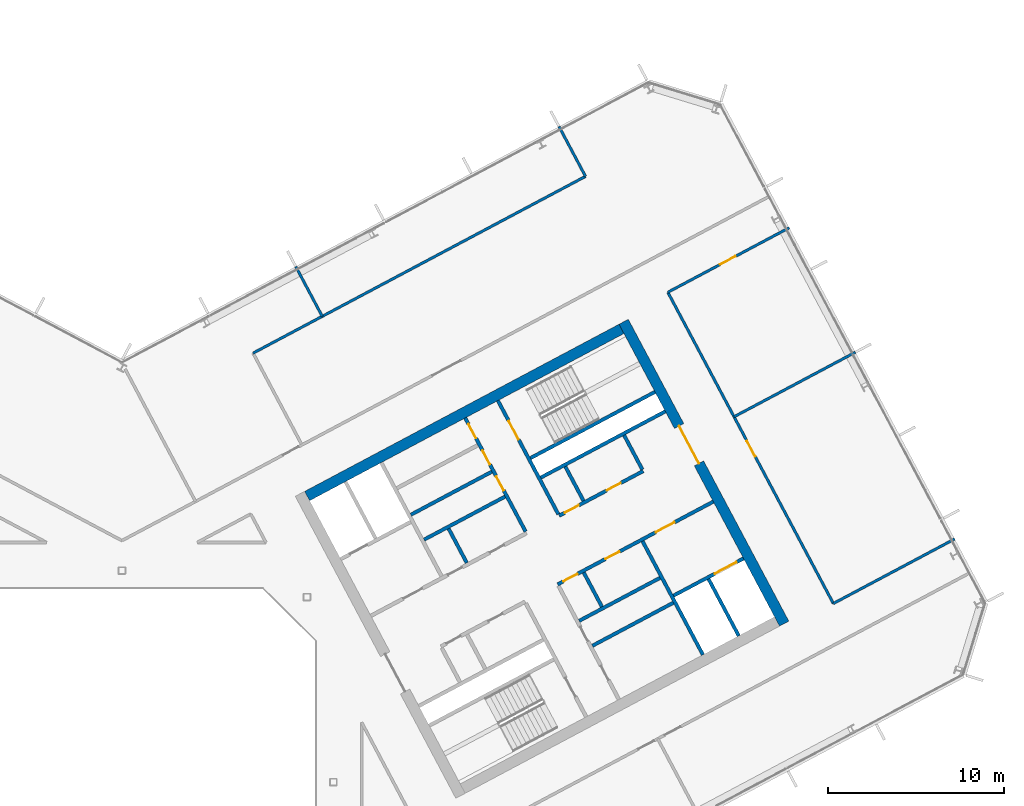
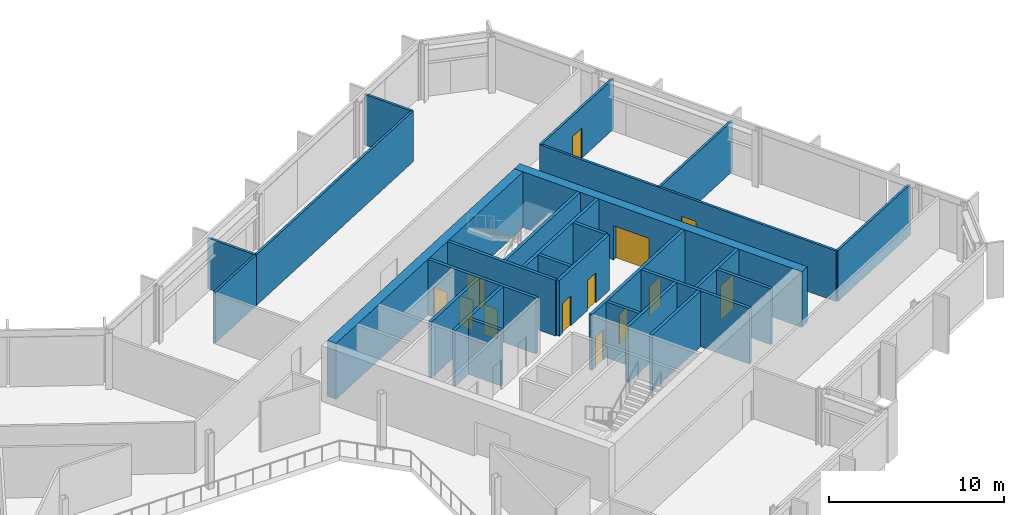
# One storey, part 16 of 26: 27 walls, 13 doors, 13 openings.
"""IFC4 building model written with IfcOpenShell, lengths in metres."""

from ifc_helpers import new_model, si_unit, direction, frame, frame_2d, origin, place, context, subcontext, project, spatial, rectangle, extrude, material, layer, layer_set, type_object, element, fill, save


model = new_model("IFC4")

# Units and contexts
model_context = context("Model", 3, precision=1e-05, world=origin(), true_north=direction((0.0, 1.0)))
body_context = subcontext(model_context, "Body", "Model", "MODEL_VIEW")
ifc_project = project(units=[si_unit("LENGTHUNIT", "METRE"), si_unit("AREAUNIT", "SQUARE_METRE"), si_unit("VOLUMEUNIT", "CUBIC_METRE"), si_unit("PLANEANGLEUNIT", "RADIAN"), si_unit("MASSUNIT", "GRAM", prefix="KILO")], contexts=[model_context])

# Site, building, storey
site_placement = place(None, origin())
site = spatial("IfcSite", under=ifc_project, at=site_placement, CompositionType="ELEMENT")
building_placement = place(site_placement, origin())
building = spatial("IfcBuilding", under=site, at=building_placement, Name="Cormorant Relay Tower", CompositionType="ELEMENT")
storey_placement = place(building_placement, frame((0.0, 0.0, 213.0)))
storey = spatial("IfcBuildingStorey", under=building, at=storey_placement, Name="L46", CompositionType="ELEMENT", Elevation=213.0)

# Walls
ifc_material_1 = material(Name="Concrete 40 MPa", Category="concrete")
ifc_layer_1 = layer(ifc_material_1, 0.199951171875)
ifc_layer_set_1 = layer_set([ifc_layer_1], Name="Core internal wall 200")
wall_type_1 = type_object("IfcWallType", Name="Core internal wall 200", PredefinedType="SOLIDWALL", material=ifc_layer_set_1)
for number, where, z_axis, x_axis, name in (
    (1, (19.568603515625, 12.443603515625, 0.0), (0.0, 0.0, 1.0), (-0.4694473164, 0.882960484464, 0.0), "L46 core B shaft and room wall"),
    (2, (27.236083984375, 9.951416015625, 0.0), (0.0, 0.0, 1.0), (-0.4694473164, 0.882960484464, 0.0), "L46 core B shaft and room wall"),
    (3, (26.19091796875, 15.964599609375, 0.0), (0.0, 0.0, 1.0), (-0.469533832133, 0.882914480843, 0.0), "L46 core B shaft and room wall"),
):
    element("IfcWall", number, at=place(storey_placement, frame(where, z_axis=z_axis, x_axis=x_axis)), inside=storey, type_object=wall_type_1, Name=name, PredefinedType="SOLIDWALL", context=body_context, shape_type="SweptSolid", body=[
        extrude(rectangle(XDim=2.199951171875, YDim=0.199951171875, at=frame_2d((1.10009765625, 0.0))), origin(), (0.0, 0.0, 1.0), 3.89990234375),
    ])
for number, where, z_axis, x_axis, name in (
    (4, (26.692138671875, 7.73681640625, 0.0), (0.0, 0.0, 1.0), (0.882953967957, 0.469459572775, 0.0), "L46 core B shaft and room wall"),
    (5, (16.395751953125, 15.17333984375, 0.0), (0.0, 0.0, 1.0), (0.882934506056, 0.469496174655, 0.0), "L46 core B shaft and room wall"),
):
    element("IfcWall", number, at=place(storey_placement, frame(where, z_axis=z_axis, x_axis=x_axis)), inside=storey, type_object=wall_type_1, Name=name, PredefinedType="SOLIDWALL", context=body_context, shape_type="SweptSolid", body=[
        extrude(rectangle(XDim=5.199951171875, YDim=0.199951171875, at=frame_2d((2.60009765625, 0.0))), origin(), (0.0, 0.0, 1.0), 3.89990234375),
    ])

# Wall, openings, doors
ifc_material_2 = material(Name="Concrete 50 MPa", Category="concrete")
ifc_layer_2 = layer(ifc_material_2, 0.199951171875)
ifc_layer_set_2 = layer_set([ifc_layer_2], Name="Core shaft wall 200")
wall_type_2 = type_object("IfcWallType", Name="Core shaft wall 200", PredefinedType="SHEAR", material=ifc_layer_set_2)
wall_1_placement = place(storey_placement, frame((22.90625, 14.218017578125, 0.0), z_axis=(0.0, 0.0, 1.0), x_axis=(-0.469480409012, 0.88294288918, 0.0)))
wall_1 = element("IfcWall", 6, at=wall_1_placement, inside=storey, type_object=wall_type_2, Name="L46 core B shaft wall", PredefinedType="SHEAR", context=body_context, shape_type="SweptSolid", body=[
    extrude(rectangle(XDim=7.300048828125, YDim=0.199951171875, at=frame_2d((3.64990234375, 0.0))), origin(), (0.0, 0.0, 1.0), 3.89990234375),
])
opening_1_placement = place(wall_1_placement, frame((2.64990234375, 0.0, 0.0)))
opening_1 = element("IfcOpeningElement", 7, at=opening_1_placement, cuts=wall_1, Name="Opening CDD-274", PredefinedType="OPENING", context=body_context, shape_type="SweptSolid", body=[
    extrude(rectangle(XDim=0.89990234375, YDim=2.10009765625, at=frame_2d((0.449951171875, 1.050048828125))), frame((0.0, 0.10986328125, 0.0), z_axis=(0.0, -1.0, 0.0), x_axis=(1.0, 0.0, 0.0)), (0.0, 0.0, 1.0), 0.219970703125),
])
opening_2_placement = place(wall_1_placement, frame((4.300048828125, 0.0, 0.0)))
opening_2 = element("IfcOpeningElement", 8, at=opening_2_placement, cuts=wall_1, Name="Opening CDD-275", PredefinedType="OPENING", context=body_context, shape_type="SweptSolid", body=[
    extrude(rectangle(XDim=0.89990234375, YDim=2.10009765625, at=frame_2d((0.449951171875, 1.050048828125))), frame((0.0, 0.10986328125, 0.0), z_axis=(0.0, -1.0, 0.0), x_axis=(1.0, 0.0, 0.0)), (0.0, 0.0, 1.0), 0.219970703125),
])
opening_3_placement = place(wall_1_placement, frame((6.0, 0.0, 0.0)))
opening_3 = element("IfcOpeningElement", 9, at=opening_3_placement, cuts=wall_1, Name="Opening CDD-276", PredefinedType="OPENING", context=body_context, shape_type="SweptSolid", body=[
    extrude(rectangle(XDim=0.89990234375, YDim=2.10009765625, at=frame_2d((0.449951171875, 1.050048828125))), frame((0.0, 0.10986328125, 0.0), z_axis=(0.0, -1.0, 0.0), x_axis=(1.0, 0.0, 0.0)), (0.0, 0.0, 1.0), 0.219970703125),
])
ifc_material_3 = material(Name="Steel fire door", Category="steel")
door_type_1 = type_object("IfcDoorType", Name="Core room door 900x2100", OperationType="SINGLE_SWING_LEFT", PredefinedType="DOOR", material=ifc_material_3)
door_1_placement = place(opening_1_placement, frame((0.89990234375, 0.0, 0.0), z_axis=(0.0, 0.0, 1.0), x_axis=(-1.0, 0.0, 0.0)))
door_1 = element("IfcDoor", 10, at=door_1_placement, inside=storey, type_object=door_type_1, Name="Core room door 900x2100", OperationType="SINGLE_SWING_LEFT", OverallHeight=2.10009765625, OverallWidth=0.89990234375, PredefinedType="DOOR", context=body_context, shape_type="SweptSolid", body=[
    extrude(rectangle(XDim=0.89990234375, YDim=2.10009765625, at=frame_2d((0.449951171875, 1.050048828125))), frame((0.0, 0.02490234375, 0.0), z_axis=(0.0, -1.0, 0.0), x_axis=(1.0, 0.0, 0.0)), (0.0, 0.0, 1.0), 0.050048828125),
])
fill(opening_1, door_1)
door_2_placement = place(opening_2_placement, frame((0.89990234375, 0.0, 0.0), z_axis=(0.0, 0.0, 1.0), x_axis=(-1.0, 0.0, 0.0)))
door_2 = element("IfcDoor", 11, at=door_2_placement, inside=storey, type_object=door_type_1, Name="Core room door 900x2100", OperationType="SINGLE_SWING_RIGHT", OverallHeight=2.10009765625, OverallWidth=0.89990234375, PredefinedType="DOOR", context=body_context, shape_type="SweptSolid", body=[
    extrude(rectangle(XDim=0.89990234375, YDim=2.10009765625, at=frame_2d((0.449951171875, 1.050048828125))), frame((0.0, 0.02490234375, 0.0), z_axis=(0.0, -1.0, 0.0), x_axis=(1.0, 0.0, 0.0)), (0.0, 0.0, 1.0), 0.050048828125),
])
fill(opening_2, door_2)
door_3_placement = place(opening_3_placement, frame((0.89990234375, 0.0, 0.0), z_axis=(0.0, 0.0, 1.0), x_axis=(-1.0, 0.0, 0.0)))
door_3 = element("IfcDoor", 12, at=door_3_placement, inside=storey, type_object=door_type_1, Name="Core room door 900x2100", OperationType="SINGLE_SWING_LEFT", OverallHeight=2.10009765625, OverallWidth=0.89990234375, PredefinedType="DOOR", context=body_context, shape_type="SweptSolid", body=[
    extrude(rectangle(XDim=0.89990234375, YDim=2.10009765625, at=frame_2d((0.449951171875, 1.050048828125))), frame((0.0, 0.02490234375, 0.0), z_axis=(0.0, -1.0, 0.0), x_axis=(1.0, 0.0, 0.0)), (0.0, 0.0, 1.0), 0.050048828125),
])
fill(opening_3, door_3)

# Wall, opening, door
wall_2_placement = place(storey_placement, frame((24.760498046875, 15.2041015625, 0.0), z_axis=(0.0, 0.0, 1.0), x_axis=(-0.469494272526, 0.882935517501, 0.0)))
wall_2 = element("IfcWall", 13, at=wall_2_placement, inside=storey, type_object=wall_type_2, Name="L46 core B shaft wall", PredefinedType="SHEAR", context=body_context, shape_type="SweptSolid", body=[
    extrude(rectangle(XDim=7.2998046875, YDim=0.199951171875, at=frame_2d((3.64990234375, 0.0))), origin(), (0.0, 0.0, 1.0), 3.89990234375),
])
opening_4_placement = place(wall_2_placement, frame((4.800048828125, 0.0, 0.0)))
opening_4 = element("IfcOpeningElement", 14, at=opening_4_placement, cuts=wall_2, Name="Opening CDB-041", PredefinedType="OPENING", context=body_context, shape_type="SweptSolid", body=[
    extrude(rectangle(XDim=1.199951171875, YDim=2.10009765625, at=frame_2d((0.60009765625, 1.050048828125))), frame((0.0, 0.10986328125, 0.0), z_axis=(0.0, -1.0, 0.0), x_axis=(1.0, 0.0, 0.0)), (0.0, 0.0, 1.0), 0.219970703125),
])
ifc_material_4 = material(Name="Steel fire door", Category="steel")
door_type_2 = type_object("IfcDoorType", Name="Core stair door 1200x2100", OperationType="SINGLE_SWING_LEFT", PredefinedType="DOOR", material=ifc_material_4)
door_4_placement = place(opening_4_placement, frame((1.199951171875, 0.0, 0.0), z_axis=(0.0, 0.0, 1.0), x_axis=(-1.0, 0.0, 0.0)))
door_4 = element("IfcDoor", 15, at=door_4_placement, inside=storey, type_object=door_type_2, Name="Core stair door 1200x2100", OperationType="SINGLE_SWING_RIGHT", OverallHeight=2.10009765625, OverallWidth=1.199951171875, PredefinedType="DOOR", context=body_context, shape_type="SweptSolid", body=[
    extrude(rectangle(XDim=1.199951171875, YDim=2.10009765625, at=frame_2d((0.60009765625, 1.050048828125))), frame((0.0, 0.02490234375, 0.0), z_axis=(0.0, -1.0, 0.0), x_axis=(1.0, 0.0, 0.0)), (0.0, 0.0, 1.0), 0.050048828125),
])
fill(opening_4, door_4)

# Walls
wall_3_placement = place(storey_placement, frame((32.968017578125, 7.222900390625, 0.0), z_axis=(0.0, 0.0, 1.0), x_axis=(-0.469480409012, 0.88294288918, 0.0)))
element("IfcWall", 16, at=wall_3_placement, inside=storey, type_object=wall_type_2, Name="L46 core B shaft wall", PredefinedType="SHEAR", context=body_context, shape_type="SweptSolid", body=[
    extrude(rectangle(XDim=7.300048828125, YDim=0.199951171875, at=frame_2d((3.64990234375, 0.0))), origin(), (0.0, 0.0, 1.0), 3.89990234375),
])
wall_4_placement = place(storey_placement, frame((29.5283203125, 17.739013671875, 0.0), z_axis=(0.0, 0.0, 1.0), x_axis=(-0.469401318492, 0.882984938828, 0.0)))
element("IfcWall", 17, at=wall_4_placement, inside=storey, type_object=wall_type_2, Name="L46 core B shaft wall", PredefinedType="SHEAR", context=body_context, shape_type="SweptSolid", body=[
    extrude(rectangle(XDim=2.199951171875, YDim=0.199951171875, at=frame_2d((1.10009765625, 0.0))), origin(), (0.0, 0.0, 1.0), 3.89990234375),
])
wall_5_placement = place(storey_placement, frame((34.998779296875, 8.302734375, 0.0), z_axis=(0.0, 0.0, 1.0), x_axis=(-0.4694665462, 0.882950260207, 0.0)))
element("IfcWall", 18, at=wall_5_placement, inside=storey, type_object=wall_type_2, Name="L46 core B shaft wall", PredefinedType="SHEAR", context=body_context, shape_type="SweptSolid", body=[
    extrude(rectangle(XDim=3.650146484375, YDim=0.199951171875, at=frame_2d((1.8251953125, 0.0))), origin(), (0.0, 0.0, 1.0), 3.89990234375),
])

# Wall, opening, door
wall_6_placement = place(storey_placement, frame((31.295654296875, 10.5810546875, 0.0), z_axis=(0.0, 0.0, 1.0), x_axis=(0.882960433586, 0.469447412093, 0.0)))
wall_6 = element("IfcWall", 19, at=wall_6_placement, inside=storey, type_object=wall_type_2, Name="L46 core B shaft wall", PredefinedType="SHEAR", context=body_context, shape_type="SweptSolid", body=[
    extrude(rectangle(XDim=4.5, YDim=0.199951171875, at=frame_2d((2.25, 0.0))), origin(), (0.0, 0.0, 1.0), 3.89990234375),
])
opening_5_placement = place(wall_6_placement, frame((2.64990234375, 0.0, 0.0)))
opening_5 = element("IfcOpeningElement", 20, at=opening_5_placement, cuts=wall_6, Name="Opening LD3-016", PredefinedType="OPENING", context=body_context, shape_type="SweptSolid", body=[
    extrude(rectangle(XDim=1.39990234375, YDim=2.39990234375, at=frame_2d((0.699951171875, 1.199951171875))), frame((0.0, 0.10986328125, 0.0), z_axis=(0.0, -1.0, 0.0), x_axis=(1.0, 0.0, 0.0)), (0.0, 0.0, 1.0), 0.219970703125),
])
ifc_material_5 = material(Name="Stainless steel 316", Category="steel")
door_type_3 = type_object("IfcDoorType", Name="Lift landing door 1400x2400", OperationType="DOUBLE_DOOR_SLIDING", PredefinedType="DOOR", material=ifc_material_5)
door_5_placement = place(opening_5_placement, origin())
door_5 = element("IfcDoor", 21, at=door_5_placement, inside=storey, type_object=door_type_3, Name="SV2 landing door", OperationType="DOUBLE_DOOR_SLIDING", OverallHeight=2.39990234375, OverallWidth=1.39990234375, PredefinedType="DOOR", context=body_context, shape_type="SweptSolid", body=[
    extrude(rectangle(XDim=1.39990234375, YDim=2.39990234375, at=frame_2d((0.699951171875, 1.199951171875))), frame((0.0, 0.02490234375, 0.0), z_axis=(0.0, -1.0, 0.0), x_axis=(1.0, 0.0, 0.0)), (0.0, 0.0, 1.0), 0.050048828125),
])
fill(opening_5, door_5)

# Wall
wall_7_placement = place(storey_placement, frame((25.94091796875, 9.149658203125, 0.0), z_axis=(0.0, 0.0, 1.0), x_axis=(0.882953967957, 0.469459572775, 0.0)))
element("IfcWall", 22, at=wall_7_placement, inside=storey, type_object=wall_type_2, Name="L46 core B shaft wall", PredefinedType="SHEAR", context=body_context, shape_type="SweptSolid", body=[
    extrude(rectangle(XDim=5.199951171875, YDim=0.199951171875, at=frame_2d((2.60009765625, 0.0))), origin(), (0.0, 0.0, 1.0), 3.89990234375),
])

# Wall, openings, doors
wall_8_placement = place(storey_placement, frame((24.72607421875, 11.2216796875, 0.0), z_axis=(0.0, 0.0, 1.0), x_axis=(0.882940221191, 0.469485426614, 0.0)))
wall_8 = element("IfcWall", 23, at=wall_8_placement, inside=storey, type_object=wall_type_2, Name="L46 core B shaft wall", PredefinedType="SHEAR", context=body_context, shape_type="SweptSolid", body=[
    extrude(rectangle(XDim=10.0, YDim=0.199951171875, at=frame_2d((5.0, 0.0))), origin(), (0.0, 0.0, 1.0), 3.89990234375),
])
opening_6_placement = place(wall_8_placement, frame((6.300048828125, 0.0, 0.0)))
opening_6 = element("IfcOpeningElement", 24, at=opening_6_placement, cuts=wall_8, Name="Opening CDC-036", PredefinedType="OPENING", context=body_context, shape_type="SweptSolid", body=[
    extrude(rectangle(XDim=1.199951171875, YDim=2.10009765625, at=frame_2d((0.60009765625, 1.050048828125))), frame((0.0, 0.10986328125, 0.0), z_axis=(0.0, -1.0, 0.0), x_axis=(1.0, 0.0, 0.0)), (0.0, 0.0, 1.0), 0.219970703125),
])
opening_7_placement = place(wall_8_placement, frame((0.360107421875, 0.0, 0.0)))
opening_7 = element("IfcOpeningElement", 25, at=opening_7_placement, cuts=wall_8, Name="Opening CDD-247", PredefinedType="OPENING", context=body_context, shape_type="SweptSolid", body=[
    extrude(rectangle(XDim=0.89990234375, YDim=2.10009765625, at=frame_2d((0.449951171875, 1.050048828125))), frame((0.0, 0.10986328125, 0.0), z_axis=(0.0, -1.0, 0.0), x_axis=(1.0, 0.0, 0.0)), (0.0, 0.0, 1.0), 0.219970703125),
])
opening_8_placement = place(wall_8_placement, frame((3.06005859375, 0.0, 0.0)))
opening_8 = element("IfcOpeningElement", 26, at=opening_8_placement, cuts=wall_8, Name="Opening CDD-248", PredefinedType="OPENING", context=body_context, shape_type="SweptSolid", body=[
    extrude(rectangle(XDim=0.89990234375, YDim=2.10009765625, at=frame_2d((0.449951171875, 1.050048828125))), frame((0.0, 0.10986328125, 0.0), z_axis=(0.0, -1.0, 0.0), x_axis=(1.0, 0.0, 0.0)), (0.0, 0.0, 1.0), 0.219970703125),
])
ifc_material_6 = material(Name="Steel fire door", Category="steel")
door_type_4 = type_object("IfcDoorType", Name="Core lobby door 1200x2100", OperationType="SINGLE_SWING_LEFT", PredefinedType="DOOR", material=ifc_material_6)
door_6_placement = place(opening_6_placement, frame((1.199951171875, 0.0, 0.0), z_axis=(0.0, 0.0, 1.0), x_axis=(-1.0, 0.0, 0.0)))
door_6 = element("IfcDoor", 27, at=door_6_placement, inside=storey, type_object=door_type_4, Name="Core lobby door 1200x2100", OperationType="SINGLE_SWING_RIGHT", OverallHeight=2.10009765625, OverallWidth=1.199951171875, PredefinedType="DOOR", context=body_context, shape_type="SweptSolid", body=[
    extrude(rectangle(XDim=1.199951171875, YDim=2.10009765625, at=frame_2d((0.60009765625, 1.050048828125))), frame((0.0, 0.02490234375, 0.0), z_axis=(0.0, -1.0, 0.0), x_axis=(1.0, 0.0, 0.0)), (0.0, 0.0, 1.0), 0.050048828125),
])
fill(opening_6, door_6)
door_7_placement = place(opening_7_placement, frame((0.89990234375, 0.0, 0.0), z_axis=(0.0, 0.0, 1.0), x_axis=(-1.0, 0.0, 0.0)))
door_7 = element("IfcDoor", 28, at=door_7_placement, inside=storey, type_object=door_type_1, Name="Core room door 900x2100", OperationType="SINGLE_SWING_RIGHT", OverallHeight=2.10009765625, OverallWidth=0.89990234375, PredefinedType="DOOR", context=body_context, shape_type="SweptSolid", body=[
    extrude(rectangle(XDim=0.89990234375, YDim=2.10009765625, at=frame_2d((0.449951171875, 1.050048828125))), frame((0.0, 0.02490234375, 0.0), z_axis=(0.0, -1.0, 0.0), x_axis=(1.0, 0.0, 0.0)), (0.0, 0.0, 1.0), 0.050048828125),
])
fill(opening_7, door_7)
door_8_placement = place(opening_8_placement, frame((0.89990234375, 0.0, 0.0), z_axis=(0.0, 0.0, 1.0), x_axis=(-1.0, 0.0, 0.0)))
door_8 = element("IfcDoor", 29, at=door_8_placement, inside=storey, type_object=door_type_1, Name="Core room door 900x2100", OperationType="SINGLE_SWING_RIGHT", OverallHeight=2.10009765625, OverallWidth=0.89990234375, PredefinedType="DOOR", context=body_context, shape_type="SweptSolid", body=[
    extrude(rectangle(XDim=0.89990234375, YDim=2.10009765625, at=frame_2d((0.449951171875, 1.050048828125))), frame((0.0, 0.02490234375, 0.0), z_axis=(0.0, -1.0, 0.0), x_axis=(1.0, 0.0, 0.0)), (0.0, 0.0, 1.0), 0.050048828125),
])
fill(opening_8, door_8)

wall_9_placement = place(storey_placement, frame((24.807373046875, 15.11572265625, 0.0), z_axis=(0.0, 0.0, 1.0), x_axis=(0.882942972946, 0.469480251476, 0.0)))
wall_9 = element("IfcWall", 30, at=wall_9_placement, inside=storey, type_object=wall_type_2, Name="L46 core B shaft wall", PredefinedType="SHEAR", context=body_context, shape_type="SweptSolid", body=[
    extrude(rectangle(XDim=5.39990234375, YDim=0.199951171875, at=frame_2d((2.699951171875, 0.0))), origin(), (0.0, 0.0, 1.0), 3.89990234375),
])
opening_9_placement = place(wall_9_placement, frame((0.360107421875, 0.0, 0.0)))
opening_9 = element("IfcOpeningElement", 31, at=opening_9_placement, cuts=wall_9, Name="Opening CDD-273", PredefinedType="OPENING", context=body_context, shape_type="SweptSolid", body=[
    extrude(rectangle(XDim=0.89990234375, YDim=2.10009765625, at=frame_2d((0.449951171875, 1.050048828125))), frame((0.0, 0.10986328125, 0.0), z_axis=(0.0, -1.0, 0.0), x_axis=(1.0, 0.0, 0.0)), (0.0, 0.0, 1.0), 0.219970703125),
])
opening_10_placement = place(wall_9_placement, frame((3.06005859375, 0.0, 0.0)))
opening_10 = element("IfcOpeningElement", 32, at=opening_10_placement, cuts=wall_9, Name="Opening CDD-244", PredefinedType="OPENING", context=body_context, shape_type="SweptSolid", body=[
    extrude(rectangle(XDim=0.89990234375, YDim=2.10009765625, at=frame_2d((0.449951171875, 1.050048828125))), frame((0.0, 0.10986328125, 0.0), z_axis=(0.0, -1.0, 0.0), x_axis=(1.0, 0.0, 0.0)), (0.0, 0.0, 1.0), 0.219970703125),
])
door_9_placement = place(opening_9_placement, frame((0.89990234375, 0.0, 0.0), z_axis=(0.0, 0.0, 1.0), x_axis=(-1.0, 0.0, 0.0)))
door_9 = element("IfcDoor", 33, at=door_9_placement, inside=storey, type_object=door_type_1, Name="Core room door 900x2100", OperationType="SINGLE_SWING_RIGHT", OverallHeight=2.10009765625, OverallWidth=0.89990234375, PredefinedType="DOOR", context=body_context, shape_type="SweptSolid", body=[
    extrude(rectangle(XDim=0.89990234375, YDim=2.10009765625, at=frame_2d((0.449951171875, 1.050048828125))), frame((0.0, 0.02490234375, 0.0), z_axis=(0.0, -1.0, 0.0), x_axis=(1.0, 0.0, 0.0)), (0.0, 0.0, 1.0), 0.050048828125),
])
fill(opening_9, door_9)
door_10_placement = place(opening_10_placement, frame((0.89990234375, 0.0, 0.0), z_axis=(0.0, 0.0, 1.0), x_axis=(-1.0, 0.0, 0.0)))
door_10 = element("IfcDoor", 34, at=door_10_placement, inside=storey, type_object=door_type_1, Name="Core room door 900x2100", OperationType="SINGLE_SWING_RIGHT", OverallHeight=2.10009765625, OverallWidth=0.89990234375, PredefinedType="DOOR", context=body_context, shape_type="SweptSolid", body=[
    extrude(rectangle(XDim=0.89990234375, YDim=2.10009765625, at=frame_2d((0.449951171875, 1.050048828125))), frame((0.0, 0.02490234375, 0.0), z_axis=(0.0, -1.0, 0.0), x_axis=(1.0, 0.0, 0.0)), (0.0, 0.0, 1.0), 0.050048828125),
])
fill(opening_10, door_10)

# Walls
wall_10_placement = place(storey_placement, frame((17.146728515625, 13.7607421875, 0.0), z_axis=(0.0, 0.0, 1.0), x_axis=(0.882964314875, 0.469440111896, 0.0)))
element("IfcWall", 35, at=wall_10_placement, inside=storey, type_object=wall_type_2, Name="L46 core B shaft wall", PredefinedType="SHEAR", context=body_context, shape_type="SweptSolid", body=[
    extrude(rectangle(XDim=5.2001953125, YDim=0.199951171875, at=frame_2d((2.60009765625, 0.0))), origin(), (0.0, 0.0, 1.0), 3.89990234375),
])
wall_11_placement = place(storey_placement, frame((23.76904296875, 17.28173828125, 0.0), z_axis=(0.0, 0.0, 1.0), x_axis=(0.882940221191, 0.469485426614, 0.0)))
element("IfcWall", 36, at=wall_11_placement, inside=storey, type_object=wall_type_2, Name="L46 core B shaft wall", PredefinedType="SHEAR", context=body_context, shape_type="SweptSolid", body=[
    extrude(rectangle(XDim=8.0, YDim=0.199951171875, at=frame_2d((4.0, 0.0))), origin(), (0.0, 0.0, 1.0), 3.89990234375),
])
wall_12_placement = place(storey_placement, frame((23.18212890625, 18.385498046875, 0.0), z_axis=(0.0, 0.0, 1.0), x_axis=(0.88295287151, 0.469461634952, 0.0)))
element("IfcWall", 37, at=wall_12_placement, inside=storey, type_object=wall_type_2, Name="L46 core B shaft wall", PredefinedType="SHEAR", context=body_context, shape_type="SweptSolid", body=[
    extrude(rectangle(XDim=7.999755859375, YDim=0.199951171875, at=frame_2d((4.0, 0.0))), origin(), (0.0, 0.0, 1.0), 3.89990234375),
])

# Wall, opening, door
ifc_material_7 = material(Name="Concrete 50 MPa", Category="concrete")
ifc_layer_3 = layer(ifc_material_7, 0.60009765625)
ifc_layer_set_3 = layer_set([ifc_layer_3], Name="Core wall 600")
wall_type_3 = type_object("IfcWallType", Name="Core wall 600", PredefinedType="SHEAR", material=ifc_layer_set_3)
wall_13_placement = place(storey_placement, frame((37.576171875, 8.99365234375, 0.0), z_axis=(0.0, 0.0, 1.0), x_axis=(-0.469478769487, 0.88294376095, 0.0)))
wall_13 = element("IfcWall", 38, at=wall_13_placement, inside=storey, type_object=wall_type_3, Name="L46 core B wall", PredefinedType="SHEAR", context=body_context, shape_type="SweptSolid", body=[
    extrude(rectangle(XDim=19.400146484375, YDim=0.60009765625, at=frame_2d((9.7001953125, 0.0))), origin(), (0.0, 0.0, 1.0), 3.89990234375),
])
opening_11_placement = place(wall_13_placement, frame((10.300048828125, 0.0, 0.0)))
opening_11 = element("IfcOpeningElement", 39, at=opening_11_placement, cuts=wall_13, Name="Opening CDA-043", PredefinedType="OPENING", context=body_context, shape_type="SweptSolid", body=[
    extrude(rectangle(XDim=2.39990234375, YDim=2.39990234375, at=frame_2d((1.199951171875, 1.199951171875))), frame((0.0, 0.31005859375, 0.0), z_axis=(0.0, -1.0, 0.0), x_axis=(1.0, 0.0, 0.0)), (0.0, 0.0, 1.0), 0.6201171875),
])
ifc_material_8 = material(Name="Steel fire door", Category="steel")
door_type_5 = type_object("IfcDoorType", Name="Core lobby door 2400x2400", OperationType="DOUBLE_DOOR_SINGLE_SWING", PredefinedType="DOOR", material=ifc_material_8)
door_11_placement = place(opening_11_placement, origin())
door_11 = element("IfcDoor", 40, at=door_11_placement, inside=storey, type_object=door_type_5, Name="Core lobby door 2400x2400", OperationType="DOUBLE_DOOR_SINGLE_SWING", OverallHeight=2.39990234375, OverallWidth=2.39990234375, PredefinedType="DOOR", context=body_context, shape_type="SweptSolid", body=[
    extrude(rectangle(XDim=2.39990234375, YDim=2.39990234375, at=frame_2d((1.199951171875, 1.199951171875))), frame((0.0, 0.02490234375, 0.0), z_axis=(0.0, -1.0, 0.0), x_axis=(1.0, 0.0, 0.0)), (0.0, 0.0, 1.0), 0.050048828125),
])
fill(opening_11, door_11)

# Wall
wall_14_placement = place(storey_placement, frame((10.5087890625, 16.23388671875, 0.0), z_axis=(0.0, 0.0, 1.0), x_axis=(0.88295010195, 0.469466843842, 0.0)))
element("IfcWall", 41, at=wall_14_placement, inside=storey, type_object=wall_type_3, Name="L46 core B wall", PredefinedType="SHEAR", context=body_context, shape_type="SweptSolid", body=[
    extrude(rectangle(XDim=20.199951171875, YDim=0.60009765625, at=frame_2d((10.10009765625, 0.0))), origin(), (0.0, 0.0, 1.0), 3.89990234375),
])

# Wall, opening, door
ifc_material_9 = material(Name="Gypsum board fire partition")
ifc_layer_4 = layer(ifc_material_9, 0.14990234375)
ifc_layer_set_4 = layer_set([ifc_layer_4], Name="Corridor partition 150 EI 60")
wall_type_4 = type_object("IfcWallType", Name="Corridor partition 150 EI 60", PredefinedType="PARTITIONING", material=ifc_layer_set_4)
wall_15_placement = place(storey_placement, frame((37.864013671875, 31.4580078125, 0.0), z_axis=(0.0, 0.0, 1.0), x_axis=(-0.882962098673, -0.4694442803, 0.0)))
wall_15 = element("IfcWall", 42, at=wall_15_placement, inside=storey, type_object=wall_type_4, Name="wall/L46/part/039", PredefinedType="PARTITIONING", context=body_context, shape_type="SweptSolid", body=[
    extrude(rectangle(XDim=7.801025390625, YDim=0.14990234375, at=frame_2d((3.900390625, 0.0))), origin(), (0.0, 0.0, 1.0), 3.5400390625),
])
opening_12_placement = place(wall_15_placement, frame((3.449951171875, 0.0, 0.0)))
opening_12 = element("IfcOpeningElement", 43, at=opening_12_placement, cuts=wall_15, Name="Opening DS-151", PredefinedType="OPENING", context=body_context, shape_type="SweptSolid", body=[
    extrude(rectangle(XDim=1.0, YDim=2.10009765625, at=frame_2d((0.5, 1.050048828125))), frame((0.0, 0.0849609375, 0.0), z_axis=(0.0, -1.0, 0.0), x_axis=(1.0, 0.0, 0.0)), (0.0, 0.0, 1.0), 0.169921875),
])
ifc_material_10 = material(Name="Timber door leaf", Category="wood")
door_type_6 = type_object("IfcDoorType", Name="Suite door 1000x2100", OperationType="SINGLE_SWING_LEFT", PredefinedType="DOOR", material=ifc_material_10)
door_12_placement = place(opening_12_placement, origin())
door_12 = element("IfcDoor", 44, at=door_12_placement, inside=storey, type_object=door_type_6, Name="door/L46/017", OperationType="SINGLE_SWING_RIGHT", OverallHeight=2.10009765625, OverallWidth=1.0, PredefinedType="DOOR", context=body_context, shape_type="SweptSolid", body=[
    extrude(rectangle(XDim=1.0, YDim=2.10009765625, at=frame_2d((0.5, 1.050048828125))), frame((0.0, 0.02490234375, 0.0), z_axis=(0.0, -1.0, 0.0), x_axis=(1.0, 0.0, 0.0)), (0.0, 0.0, 1.0), 0.050048828125),
])
fill(opening_12, door_12)

wall_16_placement = place(storey_placement, frame((30.97607421875, 27.7958984375, 0.0), z_axis=(0.0, 0.0, 1.0), x_axis=(0.469489882812, -0.882937851685, 0.0)))
wall_16 = element("IfcWall", 45, at=wall_16_placement, inside=storey, type_object=wall_type_4, Name="wall/L46/part/040", PredefinedType="PARTITIONING", context=body_context, shape_type="SweptSolid", body=[
    extrude(rectangle(XDim=20.000244140625, YDim=0.14990234375, at=frame_2d((10.0, 0.0))), origin(), (0.0, 0.0, 1.0), 3.5400390625),
])
opening_13_placement = place(wall_16_placement, frame((9.550048828125, 0.0, 0.0)))
opening_13 = element("IfcOpeningElement", 46, at=opening_13_placement, cuts=wall_16, Name="Opening DS-150", PredefinedType="OPENING", context=body_context, shape_type="SweptSolid", body=[
    extrude(rectangle(XDim=1.0, YDim=2.10009765625, at=frame_2d((0.5, 1.050048828125))), frame((0.0, 0.0849609375, 0.0), z_axis=(0.0, -1.0, 0.0), x_axis=(1.0, 0.0, 0.0)), (0.0, 0.0, 1.0), 0.169921875),
])
door_13_placement = place(opening_13_placement, origin())
door_13 = element("IfcDoor", 47, at=door_13_placement, inside=storey, type_object=door_type_6, Name="door/L46/016", OperationType="SINGLE_SWING_LEFT", OverallHeight=2.10009765625, OverallWidth=1.0, PredefinedType="DOOR", context=body_context, shape_type="SweptSolid", body=[
    extrude(rectangle(XDim=1.0, YDim=2.10009765625, at=frame_2d((0.5, 1.050048828125))), frame((0.0, 0.02490234375, 0.0), z_axis=(0.0, -1.0, 0.0), x_axis=(1.0, 0.0, 0.0)), (0.0, 0.0, 1.0), 0.050048828125),
])
fill(opening_13, door_13)

# Walls
wall_17_placement = place(storey_placement, frame((40.365966796875, 10.136962890625, 0.0), z_axis=(0.0, 0.0, 1.0), x_axis=(0.882934506056, 0.469496174655, 0.0)))
element("IfcWall", 48, at=wall_17_placement, inside=storey, type_object=wall_type_4, Name="wall/L46/part/041", PredefinedType="PARTITIONING", context=body_context, shape_type="SweptSolid", body=[
    extrude(rectangle(XDim=7.800048828125, YDim=0.14990234375, at=frame_2d((3.89990234375, 0.0))), origin(), (0.0, 0.0, 1.0), 3.5400390625),
])
ifc_material_11 = material(Name="Gypsum board partition")
ifc_layer_5 = layer(ifc_material_11, 0.14990234375)
ifc_layer_set_5 = layer_set([ifc_layer_5], Name="Tenant partition 150")
wall_type_5 = type_object("IfcWallType", Name="Tenant partition 150", PredefinedType="PARTITIONING", material=ifc_layer_set_5)
wall_18_placement = place(storey_placement, frame((9.864013671875, 29.2548828125, 0.0), z_axis=(0.0, 0.0, 1.0), x_axis=(0.469447181805, -0.882960556025, 0.0)))
element("IfcWall", 49, at=wall_18_placement, inside=storey, type_object=wall_type_5, Name="wall/L46/part/031", PredefinedType="PARTITIONING", context=body_context, shape_type="SweptSolid", body=[
    extrude(rectangle(XDim=3.199462890625, YDim=0.14990234375, at=frame_2d((1.599609375, 0.0))), origin(), (0.0, 0.0, 1.0), 3.5400390625),
])
wall_19_placement = place(storey_placement, frame((11.35498046875, 26.424072265625, 0.0), z_axis=(0.0, 0.0, 1.0), x_axis=(-0.882846627183, -0.469661402366, 0.0)))
element("IfcWall", 50, at=wall_19_placement, inside=storey, type_object=wall_type_5, Name="wall/L46/part/032", PredefinedType="PARTITIONING", context=body_context, shape_type="SweptSolid", body=[
    extrude(rectangle(XDim=4.430908203125, YDim=0.14990234375, at=frame_2d((2.21533203125, 0.0))), origin(), (0.0, 0.0, 1.0), 3.5400390625),
])
wall_20_placement = place(storey_placement, frame((11.35498046875, 26.424072265625, 0.0), z_axis=(0.0, 0.0, 1.0), x_axis=(0.882971344108, 0.469426890458, 0.0)))
element("IfcWall", 51, at=wall_20_placement, inside=storey, type_object=wall_type_5, Name="wall/L46/part/034", PredefinedType="PARTITIONING", context=body_context, shape_type="SweptSolid", body=[
    extrude(rectangle(XDim=16.92919921875, YDim=0.14990234375, at=frame_2d((8.464599609375, 0.0))), origin(), (0.0, 0.0, 1.0), 3.5400390625),
])
wall_21_placement = place(storey_placement, frame((26.302978515625, 34.37109375, 0.0), z_axis=(0.0, 0.0, 1.0), x_axis=(-0.46919425931, 0.883094981885, 0.0)))
element("IfcWall", 52, at=wall_21_placement, inside=storey, type_object=wall_type_5, Name="wall/L46/part/035", PredefinedType="PARTITIONING", context=body_context, shape_type="SweptSolid", body=[
    extrude(rectangle(XDim=3.201171875, YDim=0.14990234375, at=frame_2d((1.6005859375, 0.0))), origin(), (0.0, 0.0, 1.0), 3.5400390625),
])
wall_22_placement = place(storey_placement, frame((41.618896484375, 24.39501953125, 0.0), z_axis=(0.0, 0.0, 1.0), x_axis=(-0.882882604432, -0.469593767837, 0.0)))
element("IfcWall", 53, at=wall_22_placement, inside=storey, type_object=wall_type_5, Name="wall/L46/part/042", PredefinedType="PARTITIONING", context=body_context, shape_type="SweptSolid", body=[
    extrude(rectangle(XDim=7.800537109375, YDim=0.14990234375, at=frame_2d((3.900390625, 0.0))), origin(), (0.0, 0.0, 1.0), 3.5400390625),
])

save(model, "model.ifc")
